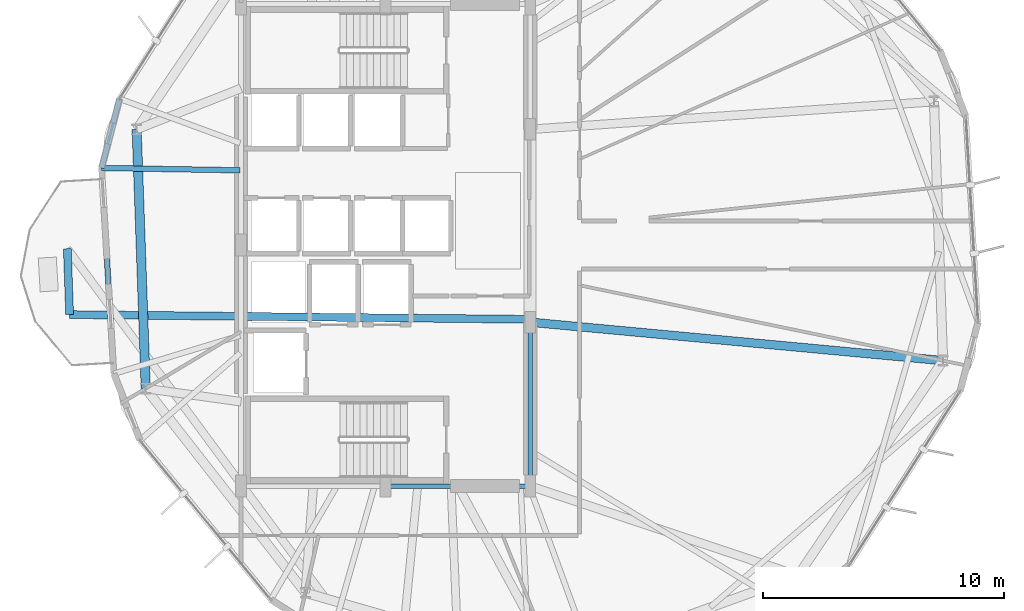
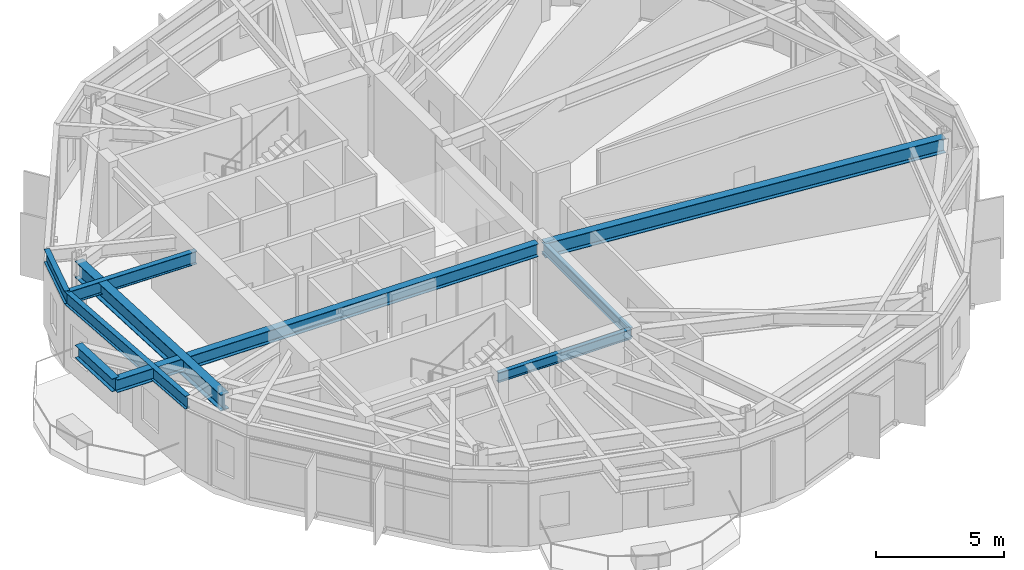
# One storey, part 6 of 22: 9 beams.
"""IFC4 building model written with IfcOpenShell, lengths in metres."""

from ifc_helpers import new_model, si_unit, direction, frame, origin, origin_2d, place, context, subcontext, project, spatial, i_section, extrude, material, material_profile, profile_set, type_object, element, save


model = new_model("IFC4")

# Units and contexts
model_context = context("Model", 3, precision=1e-05, world=origin(), true_north=direction((0.0, 1.0)))
body_context = subcontext(model_context, "Body", "Model", "MODEL_VIEW")
ifc_project = project(units=[si_unit("LENGTHUNIT", "METRE"), si_unit("AREAUNIT", "SQUARE_METRE"), si_unit("VOLUMEUNIT", "CUBIC_METRE"), si_unit("PLANEANGLEUNIT", "RADIAN"), si_unit("MASSUNIT", "GRAM", prefix="KILO")], contexts=[model_context])

# Site, building, storey
site_placement = place(None, origin())
site = spatial("IfcSite", under=ifc_project, at=site_placement, CompositionType="ELEMENT")
building_placement = place(site_placement, origin())
building = spatial("IfcBuilding", under=site, at=building_placement, Name="Soratama Intermodal Tower", CompositionType="ELEMENT")
storey_placement = place(building_placement, frame((0.0, 0.0, 110.800048828125)))
storey = spatial("IfcBuildingStorey", under=building, at=storey_placement, Name="L26", CompositionType="ELEMENT", Elevation=110.800048828125)

# Beams
ifc_material_1 = material(Name="Structural steel ASTM A992 Grade 50", Category="steel")
ifc_material_profile_1 = material_profile(ifc_material_1, i_section(OverallWidth=0.324951171875, OverallDepth=0.615966796875, WebThickness=0.013916015625, FlangeThickness=0.021484375, FilletRadius=0.013916015625, at=origin_2d()), Name="W24X117")
ifc_profile_set_1 = profile_set([ifc_material_profile_1], Name="Structural steel ASTM A992 Grade 50")
beam_type_1 = type_object("IfcBeamType", Name="BM-CANT-W24X117", PredefinedType="BEAM", material=ifc_profile_set_1)
beam_1_placement = place(storey_placement, frame((25.39599609375, 24.847900390625, 3.2919921875), z_axis=(0.035086476867, -0.999384280015, 0.0), x_axis=(0.999384280015, 0.035086476867, 0.0)))
element("IfcBeam", 1, at=beam_1_placement, inside=storey, type_object=beam_type_1, Name="BM-L26-CBHDR-2", PredefinedType="BEAM", context=body_context, shape_type="SweptSolid", body=[
    extrude(i_section(OverallWidth=0.324951171875, OverallDepth=0.615966796875, WebThickness=0.013916015625, FlangeThickness=0.021484375, FilletRadius=0.013916015625, at=origin_2d()), origin(), (0.0, 0.0, 1.0), 2.734619140625),
])
beam_2_placement = place(storey_placement, frame((44.364990234375, 21.9208984375, 3.2919921875), z_axis=(-0.999947123113, 0.010283529479, 0.0), x_axis=(-0.010283529479, -0.999947123113, 0.0)))
element("IfcBeam", 2, at=beam_2_placement, inside=storey, type_object=beam_type_1, Name="BM-L26-CANT-2-2", PredefinedType="BEAM", context=body_context, shape_type="SweptSolid", body=[
    extrude(i_section(OverallWidth=0.324951171875, OverallDepth=0.615966796875, WebThickness=0.013916015625, FlangeThickness=0.021484375, FilletRadius=0.013916015625, at=origin_2d()), origin(), (0.0, 0.0, 1.0), 18.8740234375),
])
ifc_material_2 = material(Name="Structural steel ASTM A992 Grade 50", Category="steel")
ifc_material_profile_2 = material_profile(ifc_material_2, i_section(OverallWidth=0.19091796875, OverallDepth=0.4599609375, WebThickness=0.010009765625, FlangeThickness=0.01611328125, FilletRadius=0.010986328125, at=origin_2d()), Name="W18X55")
ifc_profile_set_2 = profile_set([ifc_material_profile_2], Name="Structural steel ASTM A992 Grade 50")
beam_type_2 = type_object("IfcBeamType", Name="BM-FLR-W18X55", PredefinedType="BEAM", material=ifc_profile_set_2)
beam_3_placement = place(storey_placement, frame((38.60009765625, 15.0, 3.369873046875), z_axis=(1.0, 0.0, 0.0), x_axis=(0.0, 1.0, 0.0)))
element("IfcBeam", 3, at=beam_3_placement, inside=storey, type_object=beam_type_2, Name="BM-L26-CRING-02", PredefinedType="BEAM", context=body_context, shape_type="SweptSolid", body=[
    extrude(i_section(OverallWidth=0.19091796875, OverallDepth=0.4599609375, WebThickness=0.010009765625, FlangeThickness=0.01611328125, FilletRadius=0.010986328125, at=origin_2d()), origin(), (0.0, 0.0, 1.0), 6.0),
])
beam_4_placement = place(storey_placement, frame((44.60009765625, 15.0, 3.369873046875), z_axis=(0.0, 1.0, 0.0), x_axis=(-1.0, 0.0, 0.0)))
element("IfcBeam", 4, at=beam_4_placement, inside=storey, type_object=beam_type_2, Name="BM-L26-CRING-03", PredefinedType="BEAM", context=body_context, shape_type="SweptSolid", body=[
    extrude(i_section(OverallWidth=0.19091796875, OverallDepth=0.4599609375, WebThickness=0.010009765625, FlangeThickness=0.01611328125, FilletRadius=0.010986328125, at=origin_2d()), origin(), (0.0, 0.0, 1.0), 6.800048828125),
])
ifc_material_3 = material(Name="Structural steel ASTM A992 Grade 50", Category="steel")
ifc_material_profile_3 = material_profile(ifc_material_3, i_section(OverallWidth=0.35498046875, OverallDepth=0.695068359375, WebThickness=0.015380859375, FlangeThickness=0.02490234375, FilletRadius=0.01611328125, at=origin_2d()), Name="W27X146")
ifc_profile_set_3 = profile_set([ifc_material_profile_3], Name="Structural steel ASTM A992 Grade 50")
beam_type_3 = type_object("IfcBeamType", Name="BM-RING-W27X146", PredefinedType="BEAM", material=ifc_profile_set_3)
beam_5_placement = place(storey_placement, frame((44.60009765625, 21.800048828125, 3.25244140625), z_axis=(0.995686011515, -0.092786671855, 0.0), x_axis=(0.092786671855, 0.995686011515, 0.0)))
element("IfcBeam", 5, at=beam_5_placement, inside=storey, type_object=beam_type_3, Name="BM-L26-RAD-10", PredefinedType="BEAM", context=body_context, shape_type="SweptSolid", body=[
    extrude(i_section(OverallWidth=0.35498046875, OverallDepth=0.695068359375, WebThickness=0.015380859375, FlangeThickness=0.02490234375, FilletRadius=0.01611328125, at=origin_2d()), origin(), (0.0, 0.0, 1.0), 17.2001953125),
])
ifc_material_4 = material(Name="Structural steel ASTM A992 Grade 50", Category="steel")
ifc_material_profile_4 = material_profile(ifc_material_4, i_section(OverallWidth=0.382080078125, OverallDepth=0.779052734375, WebThickness=0.01806640625, FlangeThickness=0.030029296875, FilletRadius=0.01806640625, at=origin_2d()), Name="W30X191")
ifc_profile_set_4 = profile_set([ifc_material_profile_4], Name="Structural steel ASTM A992 Grade 50")
beam_type_4 = type_object("IfcBeamType", Name="BM-RING-W30X191", PredefinedType="BEAM", material=ifc_profile_set_4)
beam_6_placement = place(storey_placement, frame((28.27392578125, 29.7958984375, 3.21044921875), z_axis=(0.034872799059, -0.999391758964, 0.0), x_axis=(0.999391758964, 0.034872799059, 0.0)))
element("IfcBeam", 6, at=beam_6_placement, inside=storey, type_object=beam_type_4, Name="BM-L26-RING-05", PredefinedType="BEAM", context=body_context, shape_type="SweptSolid", body=[
    extrude(i_section(OverallWidth=0.382080078125, OverallDepth=0.779052734375, WebThickness=0.01806640625, FlangeThickness=0.030029296875, FilletRadius=0.01806640625, at=origin_2d()), origin(), (0.0, 0.0, 1.0), 10.75341796875),
])
ifc_material_5 = material(Name="Structural steel ASTM A992 Grade 50", Category="steel")
ifc_material_profile_5 = material_profile(ifc_material_5, i_section(OverallWidth=0.22900390625, OverallDepth=0.612060546875, WebThickness=0.011962890625, FlangeThickness=0.01953125, FilletRadius=0.012939453125, at=origin_2d()), Name="W24X84")
ifc_profile_set_5 = profile_set([ifc_material_profile_5], Name="Structural steel ASTM A992 Grade 50")
beam_type_5 = type_object("IfcBeamType", Name="BM-SPN-W24X84", PredefinedType="SPANDREL", material=ifc_profile_set_5)
beam_7_placement = place(storey_placement, frame((27.56103515625, 31.069091796875, 3.2939453125), z_axis=(-0.251510506809, -0.967854568086, 0.0), x_axis=(0.967854568086, -0.251510506809, 0.0)))
element("IfcBeam", 7, at=beam_7_placement, inside=storey, type_object=beam_type_5, Name="BS-L26-CRN04", PredefinedType="SPANDREL", context=body_context, shape_type="SweptSolid", body=[
    extrude(i_section(OverallWidth=0.22900390625, OverallDepth=0.612060546875, WebThickness=0.011962890625, FlangeThickness=0.01953125, FilletRadius=0.012939453125, at=origin_2d()), origin(), (0.0, 0.0, 1.0), 2.966552734375),
])
beam_8_placement = place(storey_placement, frame((26.81494140625, 28.197998046875, 3.2939453125), z_axis=(0.059627218134, -0.9982207145, 0.0), x_axis=(0.9982207145, 0.059627218134, 0.0)))
element("IfcBeam", 8, at=beam_8_placement, inside=storey, type_object=beam_type_5, Name="BS-L26-F05", PredefinedType="SPANDREL", context=body_context, shape_type="SweptSolid", body=[
    extrude(i_section(OverallWidth=0.22900390625, OverallDepth=0.612060546875, WebThickness=0.011962890625, FlangeThickness=0.01953125, FilletRadius=0.012939453125, at=origin_2d()), origin(), (0.0, 0.0, 1.0), 8.55322265625),
])
ifc_material_6 = material(Name="Structural steel ASTM A992 Grade 50", Category="steel")
ifc_material_profile_6 = material_profile(ifc_material_6, i_section(OverallWidth=0.22900390625, OverallDepth=0.612060546875, WebThickness=0.011962890625, FlangeThickness=0.01953125, FilletRadius=0.012939453125, at=origin_2d()), Name="W24X84")
ifc_profile_set_6 = profile_set([ifc_material_profile_6], Name="Structural steel ASTM A992 Grade 50")
beam_type_6 = type_object("IfcBeamType", Name="BM-TIE-W24X84", PredefinedType="BEAM", material=ifc_profile_set_6)
beam_9_placement = place(storey_placement, frame((32.56005859375, 28.10009765625, 3.2939453125), z_axis=(-0.999854840154, 0.017038151917, 0.0), x_axis=(-0.017038151917, -0.999854840154, 0.0)))
element("IfcBeam", 9, at=beam_9_placement, inside=storey, type_object=beam_type_6, Name="BM-L26-TIE0-05", PredefinedType="BEAM", context=body_context, shape_type="SweptSolid", body=[
    extrude(i_section(OverallWidth=0.22900390625, OverallDepth=0.612060546875, WebThickness=0.011962890625, FlangeThickness=0.01953125, FilletRadius=0.012939453125, at=origin_2d()), origin(), (0.0, 0.0, 1.0), 5.745849609375),
])

save(model, "model.ifc")
